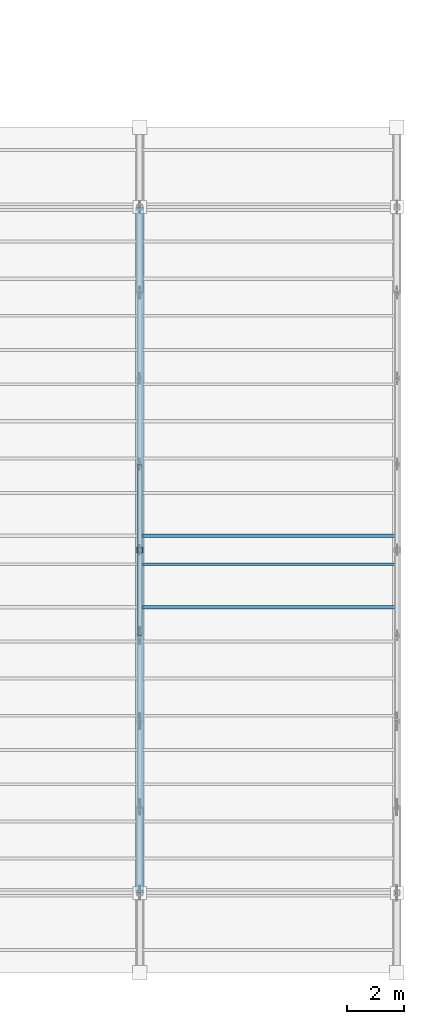
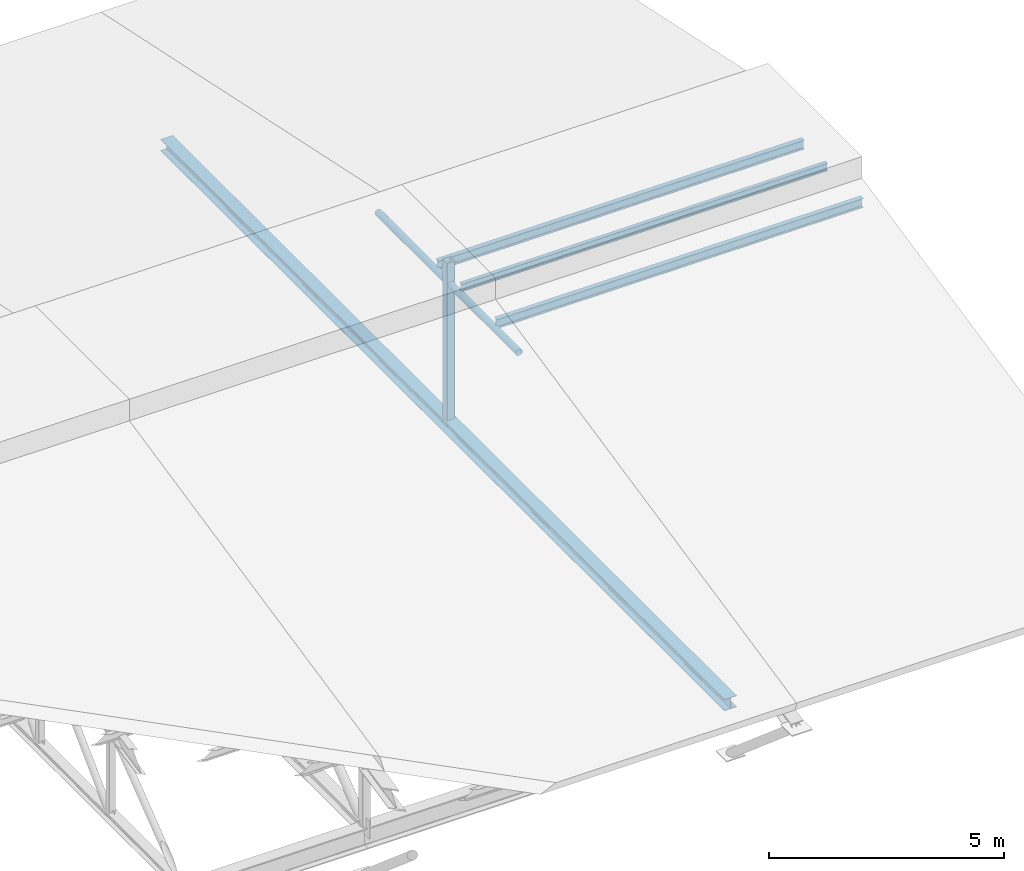
# One storey, part 26 of 43: 6 members.
"""IFC4 building model written with IfcOpenShell, lengths in metres."""

from ifc_helpers import new_model, si_unit, direction, frame, origin, origin_2d, place, context, subcontext, project, spatial, hollow_rectangle, hollow_circle, i_section, extrude, material, material_profile, profile_set, type_object, element, save


model = new_model("IFC4")

# Units and contexts
model_context = context("Model", 3, precision=1e-05, world=origin(), true_north=direction((0.0, 1.0)))
body_context = subcontext(model_context, "Body", "Model", "MODEL_VIEW")
ifc_project = project(units=[si_unit("LENGTHUNIT", "METRE"), si_unit("AREAUNIT", "SQUARE_METRE"), si_unit("VOLUMEUNIT", "CUBIC_METRE"), si_unit("PLANEANGLEUNIT", "RADIAN"), si_unit("MASSUNIT", "GRAM", prefix="KILO")], contexts=[model_context])

# Site, building, storey
site_placement = place(None, origin())
site = spatial("IfcSite", under=ifc_project, at=site_placement, CompositionType="ELEMENT")
building_placement = place(site_placement, origin())
building = spatial("IfcBuilding", under=site, at=building_placement, Name="Serraforn Aerial Cableway Station", CompositionType="ELEMENT")
storey_placement = place(building_placement, frame((0.0, 0.0, 18.300048828125)))
storey = spatial("IfcBuildingStorey", under=building, at=storey_placement, Name="RF", CompositionType="ELEMENT", Elevation=18.300048828125)

# Members
ifc_material_1 = material(Name="Steel S355J2", Category="steel")
ifc_material_profile_1 = material_profile(ifc_material_1, i_section(OverallWidth=0.300048828125, OverallDepth=0.300048828125, WebThickness=0.008544921875, FlangeThickness=0.013916015625, FilletRadius=0.027099609375, at=origin_2d()), Name="HEA 300")
ifc_profile_set_1 = profile_set([ifc_material_profile_1], Name="Steel S355J2")
member_type_1 = type_object("IfcMemberType", Name="MEM-BC-HEA300", PredefinedType="CHORD", material=ifc_profile_set_1)
member_1_placement = place(storey_placement, frame((81.60009765625, 18.0, -1.35009765625), z_axis=(0.0, 1.0, 0.0), x_axis=(-1.0, 0.0, 0.0)))
element("IfcMember", 1, at=member_1_placement, inside=storey, type_object=member_type_1, Name="Roof Truss TR-07 Bottom Chord", PredefinedType="CHORD", context=body_context, shape_type="SweptSolid", body=[
    extrude(i_section(OverallWidth=0.300048828125, OverallDepth=0.300048828125, WebThickness=0.008544921875, FlangeThickness=0.013916015625, FilletRadius=0.027099609375, at=origin_2d()), origin(), (0.0, 0.0, 1.0), 24.0),
])
ifc_material_profile_2 = material_profile(ifc_material_1, hollow_circle(Radius=0.084228515625, WallThickness=0.008056640625, at=origin_2d()), Name="CHS 168.3x8.0")
ifc_profile_set_2 = profile_set([ifc_material_profile_2], Name="Steel S355J2")
member_type_2 = type_object("IfcMemberType", Name="MEM-CL-CHS168", PredefinedType="COLLAR", material=ifc_profile_set_2)
member_2_placement = place(storey_placement, frame((81.60009765625, 27.0, 2.3076171875), z_axis=(0.0, 1.0, 0.0), x_axis=(-1.0, 0.0, 0.0)))
element("IfcMember", 2, at=member_2_placement, inside=storey, type_object=member_type_2, Name="Roof Truss TR-07 Collar Tie", PredefinedType="COLLAR", context=body_context, shape_type="SweptSolid", body=[
    extrude(hollow_circle(Radius=0.084228515625, WallThickness=0.008056640625, at=origin_2d()), origin(), (0.0, 0.0, 1.0), 6.0),
])
ifc_material_2 = material(Name="Steel S355JR", Category="steel")
ifc_material_profile_3 = material_profile(ifc_material_2, i_section(OverallWidth=0.10009765625, OverallDepth=0.199951171875, WebThickness=0.005615234375, FlangeThickness=0.008544921875, FilletRadius=0.011962890625, at=origin_2d()), Name="IPE 200")
ifc_profile_set_3 = profile_set([ifc_material_profile_3], Name="Steel S355JR")
member_type_3 = type_object("IfcMemberType", Name="MEM-PR-IPE200", PredefinedType="PURLIN", material=ifc_profile_set_3)
member_3_placement = place(storey_placement, frame((81.60009765625, 29.5, 2.48583984375), z_axis=(1.0, 0.0, 0.0), x_axis=(0.0, 1.0, 0.0)))
element("IfcMember", 3, at=member_3_placement, inside=storey, type_object=member_type_3, Name="Boarding Hall Purlin 7-7", PredefinedType="PURLIN", context=body_context, shape_type="SweptSolid", body=[
    extrude(i_section(OverallWidth=0.10009765625, OverallDepth=0.199951171875, WebThickness=0.005615234375, FlangeThickness=0.008544921875, FilletRadius=0.011962890625, at=origin_2d()), origin(), (0.0, 0.0, 1.0), 9.0),
])
ifc_material_profile_4 = material_profile(ifc_material_2, i_section(OverallWidth=0.1201171875, OverallDepth=0.239990234375, WebThickness=0.006103515625, FlangeThickness=0.009765625, FilletRadius=0.014892578125, at=origin_2d()), Name="IPE 240")
ifc_profile_set_4 = profile_set([ifc_material_profile_4], Name="Steel S355JR")
member_type_4 = type_object("IfcMemberType", Name="MEM-PR-IPE240", PredefinedType="PURLIN", material=ifc_profile_set_4)
for number, where, z_axis, x_axis, name in (
    (4, (81.60009765625, 28.0, 2.4658203125), (1.0, 0.0, 0.0), (0.0, 1.0, 0.0), "Boarding Hall Purlin 7-6"),
    (5, (81.60009765625, 30.5, 2.4658203125), (1.0, 0.0, 0.0), (0.0, 1.0, 0.0), "Boarding Hall Purlin 7-8"),
):
    element("IfcMember", number, at=place(storey_placement, frame(where, z_axis=z_axis, x_axis=x_axis)), inside=storey, type_object=member_type_4, Name=name, PredefinedType="PURLIN", context=body_context, shape_type="SweptSolid", body=[
        extrude(i_section(OverallWidth=0.1201171875, OverallDepth=0.239990234375, WebThickness=0.006103515625, FlangeThickness=0.009765625, FilletRadius=0.014892578125, at=origin_2d()), origin(), (0.0, 0.0, 1.0), 9.0),
    ])
ifc_material_profile_5 = material_profile(ifc_material_1, hollow_rectangle(XDim=0.199951171875, YDim=0.199951171875, WallThickness=0.010009765625, InnerFilletRadius=0.010009765625, OuterFilletRadius=0.02001953125, at=origin_2d()), Name="SHS 200x200x10.0")
ifc_profile_set_5 = profile_set([ifc_material_profile_5], Name="Steel S355J2")
member_type_5 = type_object("IfcMemberType", Name="MEM-VP-SHS200", PredefinedType="STRUT", material=ifc_profile_set_5)
member_4_placement = place(storey_placement, frame((81.60009765625, 30.0, -1.360107421875), z_axis=(0.0, 0.0, 1.0), x_axis=(1.0, 0.0, 0.0)))
element("IfcMember", 6, at=member_4_placement, inside=storey, type_object=member_type_5, Name="Roof Truss TR-07 Vertical Post 5", PredefinedType="STRUT", context=body_context, shape_type="SweptSolid", body=[
    extrude(hollow_rectangle(XDim=0.199951171875, YDim=0.199951171875, WallThickness=0.010009765625, InnerFilletRadius=0.010009765625, OuterFilletRadius=0.02001953125, at=origin_2d()), origin(), (0.0, 0.0, 1.0), 4.24609375),
])

save(model, "model.ifc")
